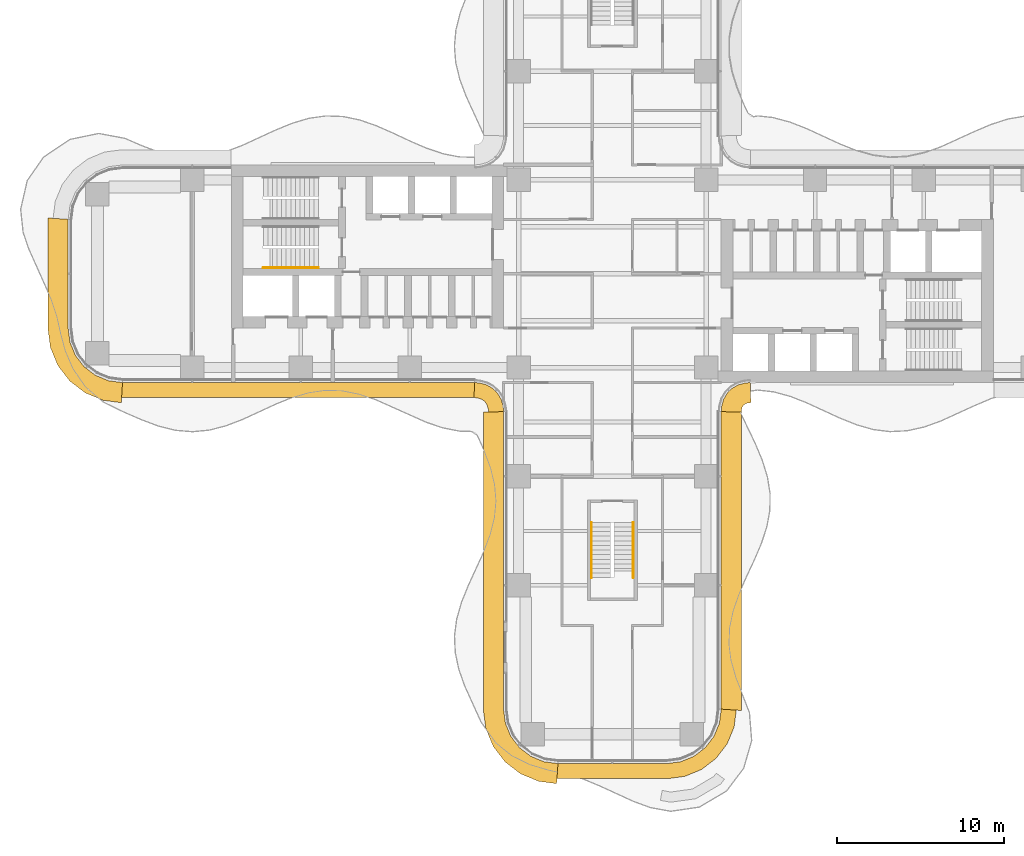
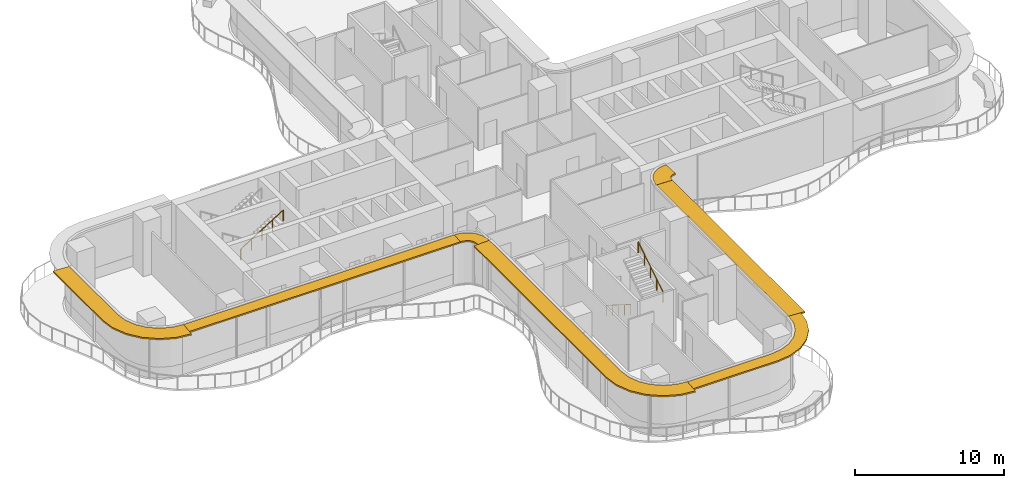
# One storey, part 21 of 22: 7 shading devices, 3 railings.
"""IFC4 building model written with IfcOpenShell, lengths in metres."""

from ifc_helpers import new_model, si_unit, direction, frame, origin, origin_2d, place, context, subcontext, project, spatial, polyline, circle, outline, extrude, source, transform, mapped, material, layer, layer_set, type_object, element, save


model = new_model("IFC4")

# Units and contexts
model_context = context("Model", 3, precision=1e-05, world=origin(), true_north=direction((0.0, 1.0)))
body_context = subcontext(model_context, "Body", "Model", "MODEL_VIEW")
ifc_project = project(units=[si_unit("LENGTHUNIT", "METRE"), si_unit("AREAUNIT", "SQUARE_METRE"), si_unit("VOLUMEUNIT", "CUBIC_METRE"), si_unit("PLANEANGLEUNIT", "RADIAN"), si_unit("MASSUNIT", "GRAM", prefix="KILO")], contexts=[model_context])

# Site, building, storey
site_placement = place(None, origin())
site = spatial("IfcSite", under=ifc_project, at=site_placement, CompositionType="ELEMENT")
building_placement = place(site_placement, origin())
building = spatial("IfcBuilding", under=site, at=building_placement, Name="Trellis Farm Tower", CompositionType="ELEMENT")
storey_placement = place(building_placement, frame((0.0, 0.0, 52.0)))
storey = spatial("IfcBuildingStorey", under=building, at=storey_placement, Name="L10", CompositionType="ELEMENT", Elevation=52.0)

# Railings
ifc_material_1 = material(Name="Stainless steel", Category="steel")
railing_type = type_object("IfcRailingType", Name="STAIR HANDRAIL 900", PredefinedType="HANDRAIL", material=ifc_material_1)
shared_shape_1 = source(origin(), body_context, "Body", "SweptSolid", [
    extrude(circle(Radius=0.02392578125, at=origin_2d()), frame((0.0, 0.0, 0.8759765625), z_axis=(0.0, 0.846319618018, 0.532675421018), x_axis=(-1.0, 0.0, 0.0)), (0.0, 0.0, 1.0), 3.89892578125),
    extrude(circle(Radius=0.02099609375, at=origin_2d()), origin(), (0.0, 0.0, 1.0), 0.851806640625),
    extrude(circle(Radius=0.02099609375, at=origin_2d()), frame((0.0, 0.824951171875, 0.519287109375)), (0.0, 0.0, 1.0), 0.851806640625),
    extrude(circle(Radius=0.02099609375, at=origin_2d()), frame((0.0, 1.64990234375, 1.03857421875)), (0.0, 0.0, 1.0), 0.851806640625),
    extrude(circle(Radius=0.02099609375, at=origin_2d()), frame((0.0, 2.474853515625, 1.5576171875)), (0.0, 0.0, 1.0), 0.851806640625),
    extrude(circle(Radius=0.02099609375, at=origin_2d()), frame((0.0, 3.2998046875, 2.076904296875)), (0.0, 0.0, 1.0), 0.851806640625),
])
railing_1_placement = place(storey_placement, frame((1.25, -18.14990234375, 2.423095703125)))
element("IfcRailing", 1, at=railing_1_placement, inside=storey, type_object=railing_type, Name="Stair handrail", PredefinedType="HANDRAIL", context=body_context, shape_type="MappedRepresentation", body=[
    mapped(shared_shape_1, transform((0.0, 0.0, 0.0))),
])
shared_shape_2 = source(origin(), body_context, "Body", "SweptSolid", [
    extrude(circle(Radius=0.02392578125, at=origin_2d()), frame((0.0, 0.0, 0.8759765625), z_axis=(0.0, -0.846319618018, 0.532675421018), x_axis=(1.0, 0.0, 0.0)), (0.0, 0.0, 1.0), 3.89892578125),
    extrude(circle(Radius=0.02099609375, at=origin_2d()), origin(), (0.0, 0.0, 1.0), 0.851806640625),
    extrude(circle(Radius=0.02099609375, at=origin_2d()), frame((0.0, -0.824951171875, 0.519287109375)), (0.0, 0.0, 1.0), 0.851806640625),
    extrude(circle(Radius=0.02099609375, at=origin_2d()), frame((0.0, -1.64990234375, 1.03857421875)), (0.0, 0.0, 1.0), 0.851806640625),
    extrude(circle(Radius=0.02099609375, at=origin_2d()), frame((0.0, -2.474853515625, 1.5576171875)), (0.0, 0.0, 1.0), 0.851806640625),
    extrude(circle(Radius=0.02099609375, at=origin_2d()), frame((0.0, -3.2998046875, 2.076904296875)), (0.0, 0.0, 1.0), 0.851806640625),
])
railing_2_placement = place(storey_placement, frame((-1.25, -14.85009765625, 0.173095703125)))
element("IfcRailing", 2, at=railing_2_placement, inside=storey, type_object=railing_type, Name="Stair handrail", PredefinedType="HANDRAIL", context=body_context, shape_type="MappedRepresentation", body=[
    mapped(shared_shape_2, transform((0.0, 0.0, 0.0))),
])
shared_shape_3 = source(origin(), body_context, "Body", "SweptSolid", [
    extrude(circle(Radius=0.02392578125, at=origin_2d()), frame((0.0, 0.0, 0.8759765625), z_axis=(0.846337383501, 0.0, 0.532647194011), x_axis=(0.0, 1.0, 0.0)), (0.0, 0.0, 1.0), 3.899169921875),
    extrude(circle(Radius=0.02099609375, at=origin_2d()), origin(), (0.0, 0.0, 1.0), 0.851806640625),
    extrude(circle(Radius=0.02099609375, at=origin_2d()), frame((0.824951171875, 0.0, 0.519287109375)), (0.0, 0.0, 1.0), 0.851806640625),
    extrude(circle(Radius=0.02099609375, at=origin_2d()), frame((1.64990234375, 0.0, 1.03857421875)), (0.0, 0.0, 1.0), 0.851806640625),
    extrude(circle(Radius=0.02099609375, at=origin_2d()), frame((2.47509765625, 0.0, 1.5576171875)), (0.0, 0.0, 1.0), 0.851806640625),
    extrude(circle(Radius=0.02099609375, at=origin_2d()), frame((3.300048828125, 0.0, 2.076904296875)), (0.0, 0.0, 1.0), 0.851806640625),
])
railing_3_placement = place(storey_placement, frame((-20.85009765625, 0.35009765625, 2.423095703125)))
element("IfcRailing", 3, at=railing_3_placement, inside=storey, type_object=railing_type, Name="Stair handrail", PredefinedType="HANDRAIL", context=body_context, shape_type="MappedRepresentation", body=[
    mapped(shared_shape_3, transform((0.0, 0.0, 0.0))),
])

# Shading devices
ifc_material_2 = material(Name="Aluminium extrusion 6063-T6", Category="aluminium")
ifc_layer_1 = layer(ifc_material_2, 0.1201171875)
ifc_layer_set_1 = layer_set([ifc_layer_1], Name="SUNSHADE BLADE 900")
shading_device_type_1 = type_object("IfcShadingDeviceType", Name="SUNSHADE BLADE 900", PredefinedType="USERDEFINED", material=ifc_layer_set_1)
shared_shape_4 = source(origin(), body_context, "Body", "SweptSolid", [
    extrude(outline(polyline([(-29.30908203125, -7.39990234375), (-8.2607421875, -7.39990234375), (-8.2314453125, -6.5), (-29.25, -6.5), (-29.30908203125, -7.39990234375)])), origin(), (0.0, 0.0, 1.0), 0.119873046875),
])
placement = place(storey_placement, frame((0.0, 0.0, 4.090087890625)))
element("IfcShadingDevice", 4, at=placement, inside=storey, type_object=shading_device_type_1, Name="SD1 001", ObjectType="SUNSHADE", PredefinedType="USERDEFINED", context=body_context, shape_type="MappedRepresentation", body=[
    mapped(shared_shape_4, transform((0.0, 0.0, 0.0))),
])
shared_shape_5 = source(origin(), body_context, "Body", "SweptSolid", [
    extrude(outline(polyline([(-8.2607421875, -7.39990234375), (-8.107666015625, -7.409912109375), (-8.091552734375, -7.412109375), (-7.85595703125, -7.475341796875), (-7.697021484375, -7.567138671875), (-7.567138671875, -7.697021484375), (-7.475341796875, -7.85595703125), (-7.412109375, -8.091552734375), (-7.409912109375, -8.107666015625), (-7.39990234375, -8.2607421875), (-6.5, -8.2314453125), (-6.513916015625, -8.01953125), (-6.527587890625, -7.91552734375), (-6.63671875, -7.508544921875), (-6.846923828125, -7.144287109375), (-7.144287109375, -6.846923828125), (-7.508544921875, -6.63671875), (-7.91552734375, -6.527587890625), (-8.01953125, -6.513916015625), (-8.2314453125, -6.5), (-8.2607421875, -7.39990234375)])), origin(), (0.0, 0.0, 1.0), 0.119873046875),
])
element("IfcShadingDevice", 5, at=placement, inside=storey, type_object=shading_device_type_1, Name="SD1 002", ObjectType="SUNSHADE", PredefinedType="USERDEFINED", context=body_context, shape_type="MappedRepresentation", body=[
    mapped(shared_shape_5, transform((0.0, 0.0, 0.0))),
])
ifc_layer_2 = layer(ifc_material_2, 0.1201171875)
ifc_layer_set_2 = layer_set([ifc_layer_2], Name="SUNSHADE BLADE 1200")
shading_device_type_2 = type_object("IfcShadingDeviceType", Name="SUNSHADE BLADE 1200", PredefinedType="USERDEFINED", material=ifc_layer_set_2)
shared_shape_6 = source(origin(), body_context, "Body", "SweptSolid", [
    extrude(outline(polyline([(-7.699951171875, -8.270751953125), (-7.699951171875, -26.07861328125), (-7.558349609375, -27.154541015625), (-7.11279296875, -28.230224609375), (-6.404052734375, -29.154052734375), (-5.480224609375, -29.86279296875), (-4.404541015625, -30.308349609375), (-3.32861328125, -30.449951171875), (-3.25, -29.25), (-4.091064453125, -29.13916015625), (-4.875, -28.814697265625), (-5.548095703125, -28.298095703125), (-6.064697265625, -27.625), (-6.38916015625, -26.841064453125), (-6.5, -26.0), (-6.5, -8.2314453125), (-7.699951171875, -8.270751953125)])), origin(), (0.0, 0.0, 1.0), 0.119873046875),
])
element("IfcShadingDevice", 6, at=placement, inside=storey, type_object=shading_device_type_2, Name="SD2 003", ObjectType="SUNSHADE", PredefinedType="USERDEFINED", context=body_context, shape_type="MappedRepresentation", body=[
    mapped(shared_shape_6, transform((0.0, 0.0, 0.0))),
])
shared_shape_7 = source(origin(), body_context, "Body", "SweptSolid", [
    extrude(outline(polyline([(-3.30908203125, -30.14990234375), (3.30908203125, -30.14990234375), (4.326171875, -30.01611328125), (5.328857421875, -29.600830078125), (6.18994140625, -28.93994140625), (6.850830078125, -28.078857421875), (7.26611328125, -27.076171875), (7.39990234375, -26.05908203125), (6.5, -26.0), (6.38916015625, -26.841064453125), (6.064697265625, -27.625), (5.548095703125, -28.298095703125), (4.875, -28.814697265625), (4.091064453125, -29.13916015625), (3.25, -29.25), (-3.25, -29.25), (-3.30908203125, -30.14990234375)])), origin(), (0.0, 0.0, 1.0), 0.119873046875),
])
element("IfcShadingDevice", 7, at=placement, inside=storey, type_object=shading_device_type_1, Name="SD1 004", ObjectType="SUNSHADE", PredefinedType="USERDEFINED", context=body_context, shape_type="MappedRepresentation", body=[
    mapped(shared_shape_7, transform((0.0, 0.0, 0.0))),
])
shared_shape_8 = source(origin(), body_context, "Body", "SweptSolid", [
    extrude(outline(polyline([(7.699951171875, -26.07861328125), (7.699951171875, -8.270751953125), (6.5, -8.2314453125), (6.5, -26.0), (7.699951171875, -26.07861328125)])), origin(), (0.0, 0.0, 1.0), 0.119873046875),
])
element("IfcShadingDevice", 8, at=placement, inside=storey, type_object=shading_device_type_2, Name="SD2 005", ObjectType="SUNSHADE", PredefinedType="USERDEFINED", context=body_context, shape_type="MappedRepresentation", body=[
    mapped(shared_shape_8, transform((0.0, 0.0, 0.0))),
])
shared_shape_9 = source(origin(), body_context, "Body", "SweptSolid", [
    extrude(outline(polyline([(7.699951171875, -8.270751953125), (7.708740234375, -8.13720703125), (7.70703125, -8.150146484375), (7.7548828125, -7.9716796875), (7.80712890625, -7.881103515625), (7.881103515625, -7.80712890625), (7.9716796875, -7.7548828125), (8.150146484375, -7.70703125), (8.13720703125, -7.708740234375), (8.270751953125, -7.699951171875), (8.2314453125, -6.5), (8.01953125, -6.513916015625), (7.91552734375, -6.527587890625), (7.508544921875, -6.63671875), (7.144287109375, -6.846923828125), (6.846923828125, -7.144287109375), (6.63671875, -7.508544921875), (6.527587890625, -7.91552734375), (6.513916015625, -8.01953125), (6.5, -8.2314453125), (7.699951171875, -8.270751953125)])), origin(), (0.0, 0.0, 1.0), 0.119873046875),
])
element("IfcShadingDevice", 9, at=placement, inside=storey, type_object=shading_device_type_2, Name="SD2 006", ObjectType="SUNSHADE", PredefinedType="USERDEFINED", context=body_context, shape_type="MappedRepresentation", body=[
    mapped(shared_shape_9, transform((0.0, 0.0, 0.0))),
])
shared_shape_10 = source(origin(), body_context, "Body", "SweptSolid", [
    extrude(outline(polyline([(-33.699951171875, 3.32861328125), (-33.699951171875, -3.32861328125), (-33.558349609375, -4.404541015625), (-33.11279296875, -5.480224609375), (-32.404052734375, -6.404052734375), (-31.480224609375, -7.11279296875), (-30.404541015625, -7.558349609375), (-29.32861328125, -7.699951171875), (-29.25, -6.5), (-30.091064453125, -6.38916015625), (-30.875, -6.064697265625), (-31.548095703125, -5.548095703125), (-32.064697265625, -4.875), (-32.38916015625, -4.091064453125), (-32.5, -3.25), (-32.5, 3.25), (-33.699951171875, 3.32861328125)])), origin(), (0.0, 0.0, 1.0), 0.119873046875),
])
element("IfcShadingDevice", 10, at=placement, inside=storey, type_object=shading_device_type_2, Name="SD2 016", ObjectType="SUNSHADE", PredefinedType="USERDEFINED", context=body_context, shape_type="MappedRepresentation", body=[
    mapped(shared_shape_10, transform((0.0, 0.0, 0.0))),
])

save(model, "model.ifc")
